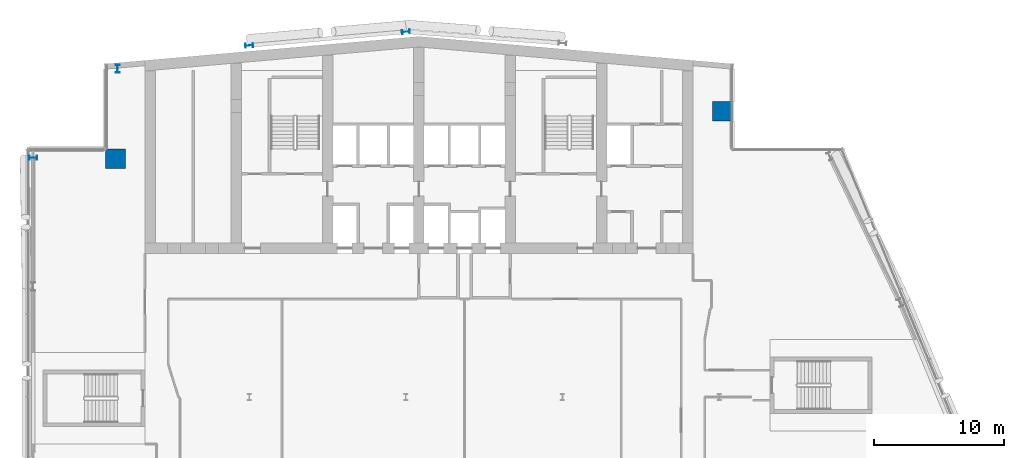
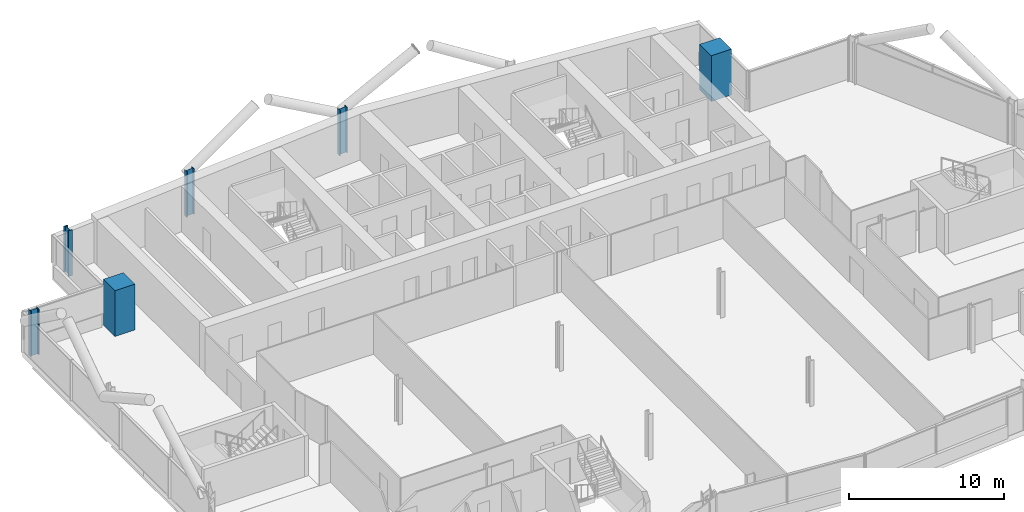
# One storey, part 3 of 26: 6 columns.
"""IFC4 building model written with IfcOpenShell, lengths in metres."""

from ifc_helpers import new_model, si_unit, direction, frame, origin, origin_2d, place, context, subcontext, project, spatial, rectangle, i_section, extrude, material, material_profile, profile_set, type_object, element, save


model = new_model("IFC4")

# Units and contexts
model_context = context("Model", 3, precision=1e-05, world=origin(), true_north=direction((0.0, 1.0)))
body_context = subcontext(model_context, "Body", "Model", "MODEL_VIEW")
ifc_project = project(units=[si_unit("LENGTHUNIT", "METRE"), si_unit("AREAUNIT", "SQUARE_METRE"), si_unit("VOLUMEUNIT", "CUBIC_METRE"), si_unit("PLANEANGLEUNIT", "RADIAN"), si_unit("MASSUNIT", "GRAM", prefix="KILO")], contexts=[model_context])

# Site, building, storey
site_placement = place(None, origin())
site = spatial("IfcSite", under=ifc_project, at=site_placement, CompositionType="ELEMENT")
building_placement = place(site_placement, origin())
building = spatial("IfcBuilding", under=site, at=building_placement, Name="Wharfspan Tower", CompositionType="ELEMENT")
storey_placement = place(building_placement, frame((0.0, 0.0, 184.300049)))
storey = spatial("IfcBuildingStorey", under=building, at=storey_placement, Name="L45", CompositionType="ELEMENT", Elevation=184.300049)

# Columns
ifc_material_1 = material(Name="Steel S355J2", Category="steel")
ifc_material_profile_1 = material_profile(ifc_material_1, i_section(OverallWidth=0.300049, OverallDepth=0.600098, WebThickness=0.015381, FlangeThickness=0.030029, FilletRadius=0.0271, at=origin_2d()))
ifc_profile_set_1 = profile_set([ifc_material_profile_1], Name="Steel S355J2")
column_type_1 = type_object("IfcColumnType", Name="Column HEB 600", PredefinedType="COLUMN", material=ifc_profile_set_1)
for number, where, z_axis, x_axis, name in (
    (1, (24.0, 49.937256, 0.0), (0.0, 0.0, 1.0), (-0.087156, 0.996198, 0.0), "Rear column R.1 L45"),
    (2, (36.0, 50.987061, 0.0), (0.0, 0.0, 1.0), (-0.087156, 0.996198, 0.0), "Rear column R.2 L45"),
):
    element("IfcColumn", number, at=place(storey_placement, frame(where, z_axis=z_axis, x_axis=x_axis)), inside=storey, type_object=column_type_1, Name=name, PredefinedType="COLUMN", context=body_context, shape_type="SweptSolid", body=[
        extrude(i_section(OverallWidth=0.300049, OverallDepth=0.600098, WebThickness=0.015381, FlangeThickness=0.030029, FilletRadius=0.0271, at=origin_2d()), origin(), (0.0, 0.0, 1.0), 3.599854),
    ])
ifc_material_profile_2 = material_profile(ifc_material_1, i_section(OverallWidth=0.304932, OverallDepth=0.620117, WebThickness=0.020996, FlangeThickness=0.040039, FilletRadius=0.0271, at=origin_2d()))
ifc_profile_set_2 = profile_set([ifc_material_profile_2], Name="Steel S355J2")
column_type_2 = type_object("IfcColumnType", Name="Column HEM 600", PredefinedType="COLUMN", material=ifc_profile_set_2)
for number, where, z_axis, x_axis, name in (
    (3, (13.911133, 48.141113, 0.0), (0.0, 0.0, 1.0), (-1.0, 0.0, 0.0), "Perimeter column PNRW-V.1 L45"),
    (4, (7.450439, 41.333008, 0.0), (0.0, 0.0, 1.0), (0.0, 1.0, 0.0), "Perimeter column PNRW-H.1 L45"),
):
    element("IfcColumn", number, at=place(storey_placement, frame(where, z_axis=z_axis, x_axis=x_axis)), inside=storey, type_object=column_type_2, Name=name, PredefinedType="COLUMN", context=body_context, shape_type="SweptSolid", body=[
        extrude(i_section(OverallWidth=0.304932, OverallDepth=0.620117, WebThickness=0.020996, FlangeThickness=0.040039, FilletRadius=0.0271, at=origin_2d()), origin(), (0.0, 0.0, 1.0), 3.599854),
    ])
ifc_material_2 = material(Name="Concrete C60/75", Category="concrete")
ifc_material_profile_3 = material_profile(ifc_material_2, rectangle(XDim=1.5, YDim=1.5, at=origin_2d()))
ifc_profile_set_3 = profile_set([ifc_material_profile_3], Name="Concrete C60/75")
column_type_3 = type_object("IfcColumnType", Name="Mega column 1500 C60/75", PredefinedType="COLUMN", material=ifc_profile_set_3)
for number, where, z_axis, x_axis, name in (
    (5, (13.75, 41.25, 0.0), (0.0, 0.0, 1.0), (1.0, 0.0, 0.0), "Mega column MC2 L45"),
    (6, (60.25, 44.899902, 0.0), (0.0, 0.0, 1.0), (1.0, 0.0, 0.0), "Mega column MC3 L45"),
):
    element("IfcColumn", number, at=place(storey_placement, frame(where, z_axis=z_axis, x_axis=x_axis)), inside=storey, type_object=column_type_3, Name=name, PredefinedType="COLUMN", context=body_context, shape_type="SweptSolid", body=[
        extrude(rectangle(XDim=1.5, YDim=1.5, at=origin_2d()), origin(), (0.0, 0.0, 1.0), 3.599854),
    ])

save(model, "model.ifc")
